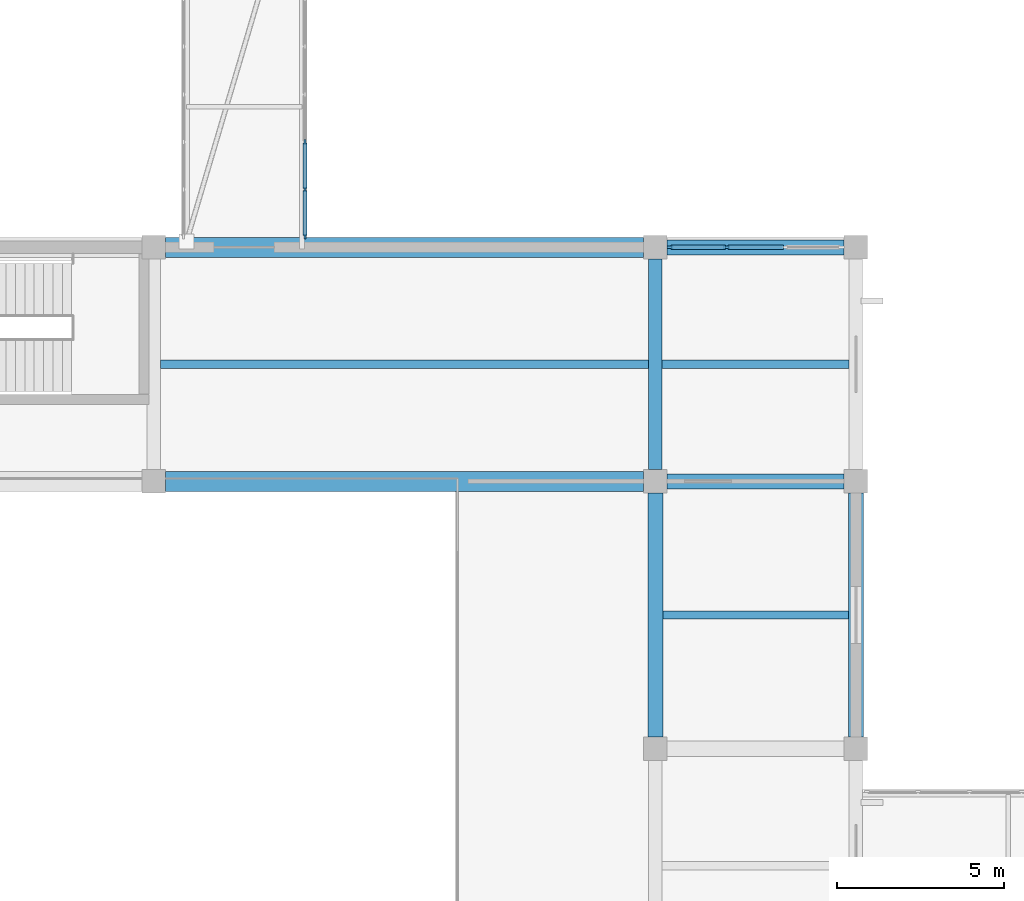
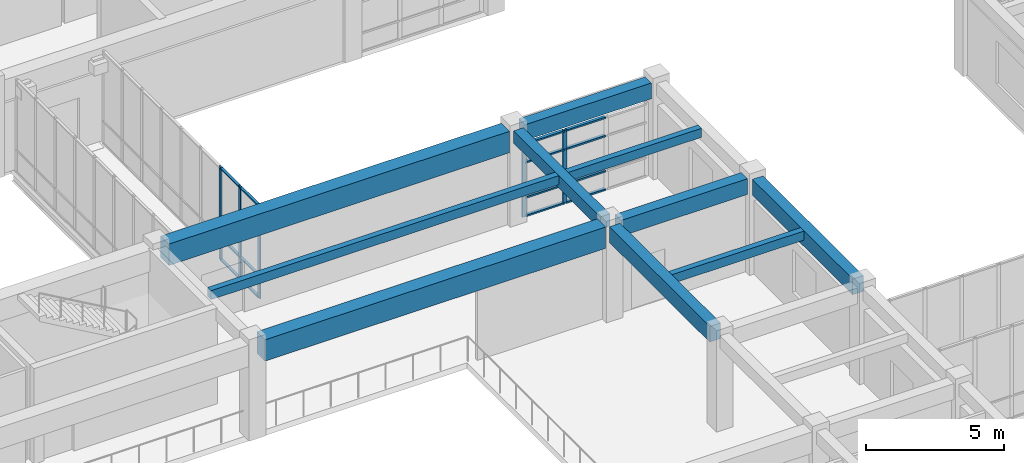
# One storey, part 8 of 70: 19 members, 10 beams, 2 elements without a shape of their own.
"""IFC4 building model written with IfcOpenShell, lengths in metres."""

from ifc_helpers import new_model, si_unit, direction, frame, origin, origin_2d, place, context, subcontext, project, spatial, rectangle, extrude, material, layer, layer_set, material_profile, profile_set, type_object, element, aggregate, save


model = new_model("IFC4")

# Units and contexts
model_context = context("Model", 3, precision=1e-05, world=origin(), true_north=direction((0.0, 1.0)))
body_context = subcontext(model_context, "Body", "Model", "MODEL_VIEW")
ifc_project = project(units=[si_unit("LENGTHUNIT", "METRE"), si_unit("AREAUNIT", "SQUARE_METRE"), si_unit("VOLUMEUNIT", "CUBIC_METRE"), si_unit("PLANEANGLEUNIT", "RADIAN"), si_unit("MASSUNIT", "GRAM", prefix="KILO")], contexts=[model_context])

# Site, building, storey
site_placement = place(None, origin())
site = spatial("IfcSite", under=ifc_project, at=site_placement, CompositionType="ELEMENT")
building_placement = place(site_placement, origin())
building = spatial("IfcBuilding", under=site, at=building_placement, Name="Naurynzar Civic Courthouse", CompositionType="ELEMENT")
storey_placement = place(building_placement, frame((0.0, 0.0, 5.39990234375)))
storey = spatial("IfcBuildingStorey", under=building, at=storey_placement, Name="L02", CompositionType="ELEMENT", Elevation=5.39990234375)

# Beams
ifc_material_1 = material(Name="Concrete C40/50", Category="concrete")
ifc_material_profile_1 = material_profile(ifc_material_1, rectangle(XDim=0.25, YDim=0.39990234375, at=origin_2d()), Name="RCB 250x400")
ifc_profile_set_1 = profile_set([ifc_material_profile_1], Name="Concrete C40/50")
beam_type_1 = type_object("IfcBeamType", Name="BM-JST-250x400", PredefinedType="JOIST", material=ifc_profile_set_1)
beam_1_placement = place(storey_placement, frame((50.22509765625, 21.0, 4.030029296875), z_axis=(1.0, 0.0, 0.0), x_axis=(0.0, 1.0, 0.0)))
element("IfcBeam", 1, at=beam_1_placement, inside=storey, type_object=beam_type_1, Name="V4 secondary rib 1853 L02", PredefinedType="JOIST", context=body_context, shape_type="SweptSolid", body=[
    extrude(rectangle(XDim=0.25, YDim=0.39990234375, at=origin_2d()), origin(), (0.0, 0.0, 1.0), 5.5498046875),
])
beam_2_placement = place(storey_placement, frame((35.199951171875, 28.5, 4.030029296875), z_axis=(1.0, 0.0, 0.0), x_axis=(0.0, 1.0, 0.0)))
element("IfcBeam", 2, at=beam_2_placement, inside=storey, type_object=beam_type_1, Name="V4 secondary rib 1854 L02", PredefinedType="JOIST", context=body_context, shape_type="SweptSolid", body=[
    extrude(rectangle(XDim=0.25, YDim=0.39990234375, at=origin_2d()), origin(), (0.0, 0.0, 1.0), 14.60009765625),
])
beam_3_placement = place(storey_placement, frame((50.199951171875, 28.5, 4.030029296875), z_axis=(1.0, 0.0, 0.0), x_axis=(0.0, 1.0, 0.0)))
element("IfcBeam", 3, at=beam_3_placement, inside=storey, type_object=beam_type_1, Name="V4 secondary rib 1855 L02", PredefinedType="JOIST", context=body_context, shape_type="SweptSolid", body=[
    extrude(rectangle(XDim=0.25, YDim=0.39990234375, at=origin_2d()), origin(), (0.0, 0.0, 1.0), 5.60009765625),
])
ifc_material_2 = material(Name="Concrete C40/50", Category="concrete")
ifc_material_profile_2 = material_profile(ifc_material_2, rectangle(XDim=0.60009765625, YDim=0.949951171875, at=origin_2d()), Name="PTB 600x950")
ifc_profile_set_2 = profile_set([ifc_material_profile_2], Name="Concrete C40/50")
beam_type_2 = type_object("IfcBeamType", Name="BM-PT-600x950", PredefinedType="T_BEAM", material=ifc_profile_set_2)
for number, where, z_axis, x_axis, name in (
    (4, (35.35009765625, 25.0, 3.755126953125), (1.0, 0.0, 0.0), (0.0, 1.0, 0.0), "V4 beam X-1819 L02"),
    (5, (35.35009765625, 32.0, 3.755126953125), (1.0, 0.0, 0.0), (0.0, 1.0, 0.0), "V4 beam X-1824 L02"),
):
    element("IfcBeam", number, at=place(storey_placement, frame(where, z_axis=z_axis, x_axis=x_axis)), inside=storey, type_object=beam_type_2, Name=name, PredefinedType="T_BEAM", context=body_context, shape_type="SweptSolid", body=[
        extrude(rectangle(XDim=0.60009765625, YDim=0.949951171875, at=origin_2d()), origin(), (0.0, 0.0, 1.0), 14.2998046875),
    ])
ifc_material_3 = material(Name="Concrete C40/50", Category="concrete")
ifc_material_profile_3 = material_profile(ifc_material_3, rectangle(XDim=0.39990234375, YDim=0.550048828125, at=origin_2d()), Name="RCB 400x550")
ifc_profile_set_3 = profile_set([ifc_material_profile_3], Name="Concrete C40/50")
beam_type_3 = type_object("IfcBeamType", Name="BM-RC-400x550", PredefinedType="BEAM", material=ifc_profile_set_3)
beam_4_placement = place(storey_placement, frame((50.0, 25.35009765625, 3.955078125), z_axis=(0.0, 1.0, 0.0), x_axis=(-1.0, 0.0, 0.0)))
element("IfcBeam", 6, at=beam_4_placement, inside=storey, type_object=beam_type_3, Name="V4 girder Y-1843 L02", PredefinedType="BEAM", context=body_context, shape_type="SweptSolid", body=[
    extrude(rectangle(XDim=0.39990234375, YDim=0.550048828125, at=origin_2d()), origin(), (0.0, 0.0, 1.0), 6.2998046875),
])
ifc_material_4 = material(Name="Concrete C40/50", Category="concrete")
ifc_material_profile_4 = material_profile(ifc_material_4, rectangle(XDim=0.449951171875, YDim=0.699951171875, at=origin_2d()), Name="RCB 450x700")
ifc_profile_set_4 = profile_set([ifc_material_profile_4], Name="Concrete C40/50")
beam_type_4 = type_object("IfcBeamType", Name="BM-RC-450x700", PredefinedType="BEAM", material=ifc_profile_set_4)
for number, where, z_axis, x_axis, name in (
    (7, (50.35009765625, 25.0, 3.880126953125), (1.0, 0.0, 0.0), (0.0, 1.0, 0.0), "V4 beam X-1820 L02"),
    (8, (50.35009765625, 32.0, 3.880126953125), (1.0, 0.0, 0.0), (0.0, 1.0, 0.0), "V4 beam X-1825 L02"),
):
    element("IfcBeam", number, at=place(storey_placement, frame(where, z_axis=z_axis, x_axis=x_axis)), inside=storey, type_object=beam_type_4, Name=name, PredefinedType="BEAM", context=body_context, shape_type="SweptSolid", body=[
        extrude(rectangle(XDim=0.449951171875, YDim=0.699951171875, at=origin_2d()), origin(), (0.0, 0.0, 1.0), 5.2998046875),
    ])
for number, where, z_axis, x_axis, name in (
    (9, (50.0, 17.35009765625, 3.880126953125), (0.0, 1.0, 0.0), (-1.0, 0.0, 0.0), "V4 girder Y-1842 L02"),
    (10, (56.0, 17.35009765625, 3.880126953125), (0.0, 1.0, 0.0), (-1.0, 0.0, 0.0), "V4 girder Y-1846 L02"),
):
    element("IfcBeam", number, at=place(storey_placement, frame(where, z_axis=z_axis, x_axis=x_axis)), inside=storey, type_object=beam_type_4, Name=name, PredefinedType="BEAM", context=body_context, shape_type="SweptSolid", body=[
        extrude(rectangle(XDim=0.449951171875, YDim=0.699951171875, at=origin_2d()), origin(), (0.0, 0.0, 1.0), 7.2998046875),
    ])

# Curtain wall, members
ifc_material_5 = material(Name="Aluminium 6063-T6", Category="aluminium")
ifc_layer_1 = layer(ifc_material_5, 0.14990234375)
ifc_layer_set_1 = layer_set([ifc_layer_1], Name="CW-BRIDGE-1500")
curtain_wall_type_1 = type_object("IfcCurtainWallType", Name="CW-BRIDGE-1500", PredefinedType="USERDEFINED", material=ifc_layer_set_1)
curtain_wall_1_placement = place(storey_placement, origin())
curtain_wall_1 = element("IfcCurtainWall", 11, at=curtain_wall_1_placement, inside=storey, type_object=curtain_wall_type_1, Name="BR-W1 glazed bridge screen L02.2", ObjectType="GLAZED BRIDGE SCREEN", PredefinedType="USERDEFINED")
ifc_material_6 = material(Name="Aluminium 6063-T6", Category="aluminium")
ifc_material_profile_5 = material_profile(ifc_material_6, rectangle(XDim=0.06005859375, YDim=0.14990234375, at=origin_2d()), Name="ALU MULLION 60x150")
ifc_profile_set_5 = profile_set([ifc_material_profile_5], Name="Aluminium 6063-T6")
member_type_1 = type_object("IfcMemberType", Name="CWM-60x150", PredefinedType="MULLION", material=ifc_profile_set_5)
member_1_placement = place(storey_placement, frame((39.52001953125, 32.330078125, 0.0), z_axis=(0.0, 0.0, 1.0), x_axis=(-1.0, 0.0, 0.0)))
member_1 = element("IfcMember", 12, at=member_1_placement, type_object=member_type_1, Name="CW-03 mullion 1", PredefinedType="MULLION", context=body_context, shape_type="SweptSolid", body=[
    extrude(rectangle(XDim=0.06005859375, YDim=0.14990234375, at=origin_2d()), origin(), (0.0, 0.0, 1.0), 4.1201171875),
])
member_2_placement = place(storey_placement, frame((39.52001953125, 33.72509765625, 0.0), z_axis=(0.0, 0.0, 1.0), x_axis=(-1.0, 0.0, 0.0)))
member_2 = element("IfcMember", 13, at=member_2_placement, type_object=member_type_1, Name="CW-03 mullion 2", PredefinedType="MULLION", context=body_context, shape_type="SweptSolid", body=[
    extrude(rectangle(XDim=0.06005859375, YDim=0.14990234375, at=origin_2d()), origin(), (0.0, 0.0, 1.0), 4.1201171875),
])
member_3_placement = place(storey_placement, frame((39.52001953125, 35.14990234375, 0.0), z_axis=(0.0, 0.0, 1.0), x_axis=(-1.0, 0.0, 0.0)))
member_3 = element("IfcMember", 14, at=member_3_placement, type_object=member_type_1, Name="CW-03 mullion 3", PredefinedType="MULLION", context=body_context, shape_type="SweptSolid", body=[
    extrude(rectangle(XDim=0.06005859375, YDim=0.14990234375, at=origin_2d()), origin(), (0.0, 0.0, 1.0), 4.1201171875),
])

ifc_material_7 = material(Name="Aluminium 6063-T6", Category="aluminium")
ifc_layer_2 = layer(ifc_material_7, 0.159912109375)
ifc_layer_set_2 = layer_set([ifc_layer_2], Name="CW-UNIT-1800")
curtain_wall_type_2 = type_object("IfcCurtainWallType", Name="CW-UNIT-1800", PredefinedType="NOTDEFINED", material=ifc_layer_set_2)
curtain_wall_2_placement = place(storey_placement, origin())
curtain_wall_2 = element("IfcCurtainWall", 15, at=curtain_wall_2_placement, inside=storey, type_object=curtain_wall_type_2, Name="V4 unitised curtain wall 76 L02", PredefinedType="NOTDEFINED")
ifc_material_8 = material(Name="Aluminium 6063-T6", Category="aluminium")
ifc_material_profile_6 = material_profile(ifc_material_8, rectangle(XDim=0.070068359375, YDim=0.179931640625, at=origin_2d()), Name="ALU MULLION 70x180")
ifc_profile_set_6 = profile_set([ifc_material_profile_6], Name="Aluminium 6063-T6")
member_type_2 = type_object("IfcMemberType", Name="CWM-70x180", PredefinedType="MULLION", material=ifc_profile_set_6)
member_4_placement = place(storey_placement, frame((50.43505859375, 32.0, 0.0), z_axis=(0.0, 0.0, 1.0), x_axis=(0.0, 1.0, 0.0)))
member_4 = element("IfcMember", 16, at=member_4_placement, type_object=member_type_2, Name="CW-02 mullion 1", PredefinedType="MULLION", context=body_context, shape_type="SweptSolid", body=[
    extrude(rectangle(XDim=0.070068359375, YDim=0.179931640625, at=origin_2d()), origin(), (0.0, 0.0, 1.0), 3.260009765625),
])
member_5_placement = place(storey_placement, frame((52.13330078125, 32.0, 0.0), z_axis=(0.0, 0.0, 1.0), x_axis=(0.0, 1.0, 0.0)))
member_5 = element("IfcMember", 17, at=member_5_placement, type_object=member_type_2, Name="CW-02 mullion 2", PredefinedType="MULLION", context=body_context, shape_type="SweptSolid", body=[
    extrude(rectangle(XDim=0.070068359375, YDim=0.179931640625, at=origin_2d()), origin(), (0.0, 0.0, 1.0), 3.260009765625),
])

# Member
ifc_material_9 = material(Name="Aluminium 6063-T6", Category="aluminium")
ifc_material_profile_7 = material_profile(ifc_material_9, rectangle(XDim=0.110107421875, YDim=0.06005859375, at=origin_2d()), Name="ALU TRANSOM 60x110")
ifc_profile_set_7 = profile_set([ifc_material_profile_7], Name="Aluminium 6063-T6")
member_type_3 = type_object("IfcMemberType", Name="CWT-60x110", PredefinedType="USERDEFINED", material=ifc_profile_set_7)
member_6_placement = place(storey_placement, frame((39.52001953125, 32.360107421875, 0.030029296875), z_axis=(0.0, 1.0, 0.0), x_axis=(-1.0, 0.0, 0.0)))
member_6 = element("IfcMember", 18, at=member_6_placement, type_object=member_type_3, Name="CW-03 transom 1.1", ObjectType="TRANSOM", PredefinedType="USERDEFINED", context=body_context, shape_type="SweptSolid", body=[
    extrude(rectangle(XDim=0.110107421875, YDim=0.06005859375, at=origin_2d()), origin(), (0.0, 0.0, 1.0), 1.3349609375),
])

member_7_placement = place(storey_placement, frame((39.52001953125, 32.360107421875, 1.0), z_axis=(0.0, 1.0, 0.0), x_axis=(-1.0, 0.0, 0.0)))
member_7 = element("IfcMember", 19, at=member_7_placement, type_object=member_type_3, Name="CW-03 transom 1.2", ObjectType="TRANSOM", PredefinedType="USERDEFINED", context=body_context, shape_type="SweptSolid", body=[
    extrude(rectangle(XDim=0.110107421875, YDim=0.06005859375, at=origin_2d()), origin(), (0.0, 0.0, 1.0), 1.3349609375),
])

member_8_placement = place(storey_placement, frame((39.52001953125, 32.360107421875, 4.090087890625), z_axis=(0.0, 1.0, 0.0), x_axis=(-1.0, 0.0, 0.0)))
member_8 = element("IfcMember", 20, at=member_8_placement, type_object=member_type_3, Name="CW-03 transom 1.3", ObjectType="TRANSOM", PredefinedType="USERDEFINED", context=body_context, shape_type="SweptSolid", body=[
    extrude(rectangle(XDim=0.110107421875, YDim=0.06005859375, at=origin_2d()), origin(), (0.0, 0.0, 1.0), 1.3349609375),
])

member_9_placement = place(storey_placement, frame((39.52001953125, 33.7548828125, 0.030029296875), z_axis=(0.0, 1.0, 0.0), x_axis=(-1.0, 0.0, 0.0)))
member_9 = element("IfcMember", 21, at=member_9_placement, type_object=member_type_3, Name="CW-03 transom 2.1", ObjectType="TRANSOM", PredefinedType="USERDEFINED", context=body_context, shape_type="SweptSolid", body=[
    extrude(rectangle(XDim=0.110107421875, YDim=0.06005859375, at=origin_2d()), origin(), (0.0, 0.0, 1.0), 1.365234375),
])

member_10_placement = place(storey_placement, frame((39.52001953125, 33.7548828125, 1.0), z_axis=(0.0, 1.0, 0.0), x_axis=(-1.0, 0.0, 0.0)))
member_10 = element("IfcMember", 22, at=member_10_placement, type_object=member_type_3, Name="CW-03 transom 2.2", ObjectType="TRANSOM", PredefinedType="USERDEFINED", context=body_context, shape_type="SweptSolid", body=[
    extrude(rectangle(XDim=0.110107421875, YDim=0.06005859375, at=origin_2d()), origin(), (0.0, 0.0, 1.0), 1.365234375),
])

member_11_placement = place(storey_placement, frame((39.52001953125, 33.7548828125, 4.090087890625), z_axis=(0.0, 1.0, 0.0), x_axis=(-1.0, 0.0, 0.0)))
member_11 = element("IfcMember", 23, at=member_11_placement, type_object=member_type_3, Name="CW-03 transom 2.3", ObjectType="TRANSOM", PredefinedType="USERDEFINED", context=body_context, shape_type="SweptSolid", body=[
    extrude(rectangle(XDim=0.110107421875, YDim=0.06005859375, at=origin_2d()), origin(), (0.0, 0.0, 1.0), 1.365234375),
])

aggregate(curtain_wall_1, [member_1, member_2, member_3, member_6, member_7, member_8, member_9, member_10, member_11])

ifc_material_10 = material(Name="Aluminium 6063-T6", Category="aluminium")
ifc_material_profile_8 = material_profile(ifc_material_10, rectangle(XDim=0.1298828125, YDim=0.070068359375, at=origin_2d()), Name="ALU TRANSOM 70x130")
ifc_profile_set_8 = profile_set([ifc_material_profile_8], Name="Aluminium 6063-T6")
member_type_4 = type_object("IfcMemberType", Name="CWT-70x130", PredefinedType="USERDEFINED", material=ifc_profile_set_8)
member_12_placement = place(storey_placement, frame((50.469970703125, 32.0, 0.03515625), z_axis=(1.0, 0.0, 0.0), x_axis=(0.0, 1.0, 0.0)))
member_12 = element("IfcMember", 24, at=member_12_placement, type_object=member_type_4, Name="CW-02 transom 1.1", ObjectType="TRANSOM", PredefinedType="USERDEFINED", context=body_context, shape_type="SweptSolid", body=[
    extrude(rectangle(XDim=0.1298828125, YDim=0.070068359375, at=origin_2d()), origin(), (0.0, 0.0, 1.0), 1.62841796875),
])

member_13_placement = place(storey_placement, frame((50.469970703125, 32.0, 0.85009765625), z_axis=(1.0, 0.0, 0.0), x_axis=(0.0, 1.0, 0.0)))
member_13 = element("IfcMember", 25, at=member_13_placement, type_object=member_type_4, Name="CW-02 transom 1.2", ObjectType="TRANSOM", PredefinedType="USERDEFINED", context=body_context, shape_type="SweptSolid", body=[
    extrude(rectangle(XDim=0.1298828125, YDim=0.070068359375, at=origin_2d()), origin(), (0.0, 0.0, 1.0), 1.62841796875),
])

member_14_placement = place(storey_placement, frame((50.469970703125, 32.0, 2.41015625), z_axis=(1.0, 0.0, 0.0), x_axis=(0.0, 1.0, 0.0)))
member_14 = element("IfcMember", 26, at=member_14_placement, type_object=member_type_4, Name="CW-02 transom 1.3", ObjectType="TRANSOM", PredefinedType="USERDEFINED", context=body_context, shape_type="SweptSolid", body=[
    extrude(rectangle(XDim=0.1298828125, YDim=0.070068359375, at=origin_2d()), origin(), (0.0, 0.0, 1.0), 1.62841796875),
])

member_15_placement = place(storey_placement, frame((50.469970703125, 32.0, 3.22509765625), z_axis=(1.0, 0.0, 0.0), x_axis=(0.0, 1.0, 0.0)))
member_15 = element("IfcMember", 27, at=member_15_placement, type_object=member_type_4, Name="CW-02 transom 1.4", ObjectType="TRANSOM", PredefinedType="USERDEFINED", context=body_context, shape_type="SweptSolid", body=[
    extrude(rectangle(XDim=0.1298828125, YDim=0.070068359375, at=origin_2d()), origin(), (0.0, 0.0, 1.0), 1.62841796875),
])

member_16_placement = place(storey_placement, frame((52.168212890625, 32.0, 0.03515625), z_axis=(1.0, 0.0, 0.0), x_axis=(0.0, 1.0, 0.0)))
member_16 = element("IfcMember", 28, at=member_16_placement, type_object=member_type_4, Name="CW-02 transom 2.1", ObjectType="TRANSOM", PredefinedType="USERDEFINED", context=body_context, shape_type="SweptSolid", body=[
    extrude(rectangle(XDim=0.1298828125, YDim=0.070068359375, at=origin_2d()), origin(), (0.0, 0.0, 1.0), 1.66357421875),
])

member_17_placement = place(storey_placement, frame((52.168212890625, 32.0, 0.85009765625), z_axis=(1.0, 0.0, 0.0), x_axis=(0.0, 1.0, 0.0)))
member_17 = element("IfcMember", 29, at=member_17_placement, type_object=member_type_4, Name="CW-02 transom 2.2", ObjectType="TRANSOM", PredefinedType="USERDEFINED", context=body_context, shape_type="SweptSolid", body=[
    extrude(rectangle(XDim=0.1298828125, YDim=0.070068359375, at=origin_2d()), origin(), (0.0, 0.0, 1.0), 1.66357421875),
])

member_18_placement = place(storey_placement, frame((52.168212890625, 32.0, 2.41015625), z_axis=(1.0, 0.0, 0.0), x_axis=(0.0, 1.0, 0.0)))
member_18 = element("IfcMember", 30, at=member_18_placement, type_object=member_type_4, Name="CW-02 transom 2.3", ObjectType="TRANSOM", PredefinedType="USERDEFINED", context=body_context, shape_type="SweptSolid", body=[
    extrude(rectangle(XDim=0.1298828125, YDim=0.070068359375, at=origin_2d()), origin(), (0.0, 0.0, 1.0), 1.66357421875),
])

member_19_placement = place(storey_placement, frame((52.168212890625, 32.0, 3.22509765625), z_axis=(1.0, 0.0, 0.0), x_axis=(0.0, 1.0, 0.0)))
member_19 = element("IfcMember", 31, at=member_19_placement, type_object=member_type_4, Name="CW-02 transom 2.4", ObjectType="TRANSOM", PredefinedType="USERDEFINED", context=body_context, shape_type="SweptSolid", body=[
    extrude(rectangle(XDim=0.1298828125, YDim=0.070068359375, at=origin_2d()), origin(), (0.0, 0.0, 1.0), 1.66357421875),
])

aggregate(curtain_wall_2, [member_4, member_5, member_12, member_13, member_14, member_15, member_16, member_17, member_18, member_19])

save(model, "model.ifc")
